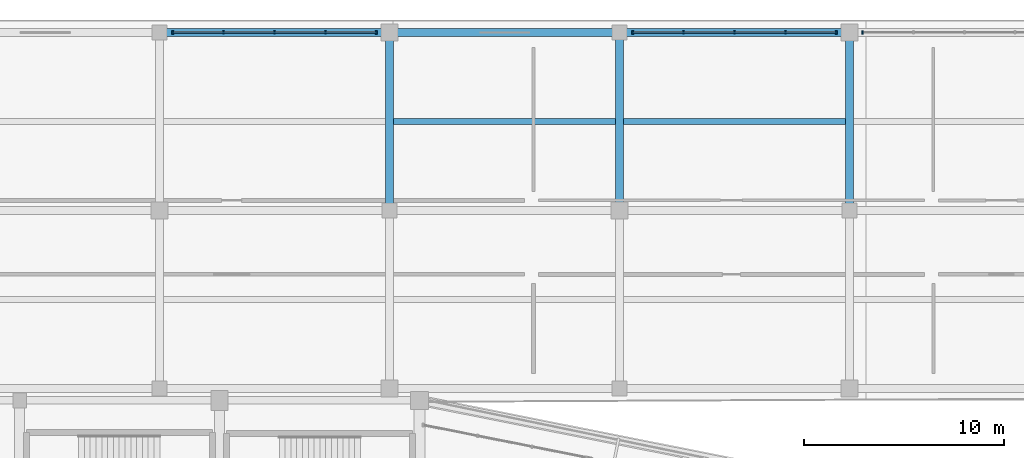
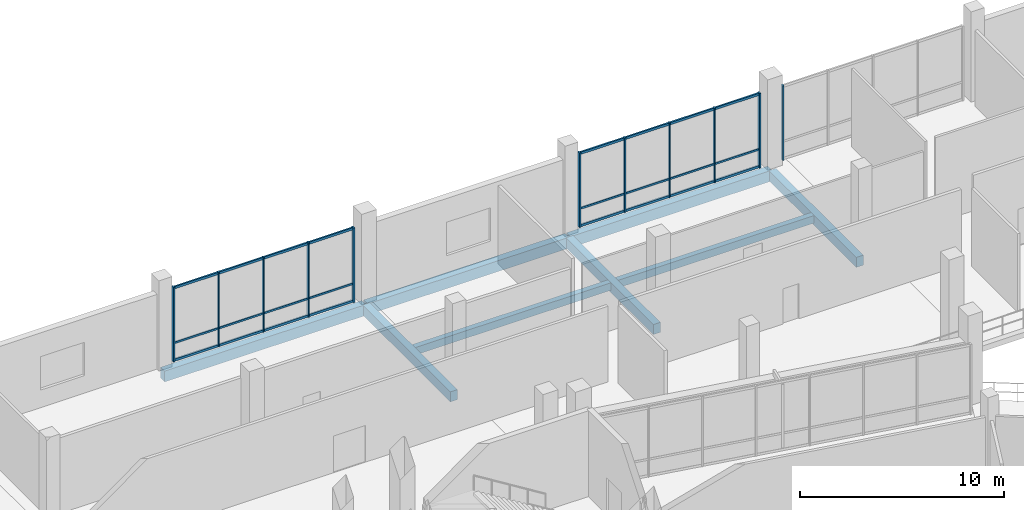
# One storey, part 59 of 114: 17 members, 8 beams, 3 elements without a shape of their own.
"""IFC4 building model written with IfcOpenShell, lengths in metres."""

from ifc_helpers import new_model, si_unit, direction, frame, origin, origin_2d, place, context, subcontext, project, spatial, rectangle, extrude, material, material_profile, profile_set, type_object, element, aggregate, save


model = new_model("IFC4")

# Units and contexts
model_context = context("Model", 3, precision=1e-05, world=origin(), true_north=direction((0.0, 1.0)))
body_context = subcontext(model_context, "Body", "Model", "MODEL_VIEW")
ifc_project = project(units=[si_unit("LENGTHUNIT", "METRE"), si_unit("AREAUNIT", "SQUARE_METRE"), si_unit("VOLUMEUNIT", "CUBIC_METRE"), si_unit("PLANEANGLEUNIT", "RADIAN"), si_unit("MASSUNIT", "GRAM", prefix="KILO")], contexts=[model_context])

# Site, building, storey
site_placement = place(None, origin())
site = spatial("IfcSite", under=ifc_project, at=site_placement, CompositionType="ELEMENT")
building_placement = place(site_placement, origin())
building = spatial("IfcBuilding", under=site, at=building_placement, Name="Candeia Ridge Stadium", CompositionType="ELEMENT")
storey_placement = place(building_placement, frame((0.0, 0.0, 5.39990234375)))
storey = spatial("IfcBuildingStorey", under=building, at=storey_placement, Name="L01", CompositionType="ELEMENT", Elevation=5.39990234375)

# Curtain wall, members
ifc_material_1 = material(Name="Aluminium Anodized Warm Bronze", Category="aluminium")
curtain_wall_type = type_object("IfcCurtainWallType", Name="Museum & Boulevard Showcase Curtain Wall", PredefinedType="NOTDEFINED", material=ifc_material_1)
curtain_wall_1_placement = place(storey_placement, origin())
curtain_wall_1 = element("IfcCurtainWall", 1, at=curtain_wall_1_placement, inside=storey, type_object=curtain_wall_type, Name="Unitised curtain wall CW-WNG-L01-144", PredefinedType="NOTDEFINED")
ifc_material_profile_1 = material_profile(ifc_material_1, rectangle(XDim=0.090087890625, YDim=0.179931640625, at=origin_2d()), Name="CWM-90x180", Category="aluminium")
ifc_profile_set_1 = profile_set([ifc_material_profile_1], Name="Aluminium Anodized Warm Bronze")
member_type_1 = type_object("IfcMemberType", Name="Curtain Wall Primary Mullion 90x180", PredefinedType="MULLION", material=ifc_profile_set_1)
member_1_placement = place(storey_placement, frame((128.659912109375, 165.39990234375, 0.0), z_axis=(0.0, 0.0, 1.0), x_axis=(1.0, 0.0, 0.0)))
member_1 = element("IfcMember", 2, at=member_1_placement, type_object=member_type_1, Name="Curtain wall mullion CW-WNG-L01-144-M0", PredefinedType="MULLION", context=body_context, shape_type="SweptSolid", body=[
    extrude(rectangle(XDim=0.090087890625, YDim=0.179931640625, at=origin_2d()), origin(), (0.0, 0.0, 1.0), 4.47509765625),
])
member_2_placement = place(storey_placement, frame((138.840087890625, 165.39990234375, 0.0), z_axis=(0.0, 0.0, 1.0), x_axis=(1.0, 0.0, 0.0)))
member_2 = element("IfcMember", 3, at=member_2_placement, type_object=member_type_1, Name="Curtain wall mullion CW-WNG-L01-144-M4", PredefinedType="MULLION", context=body_context, shape_type="SweptSolid", body=[
    extrude(rectangle(XDim=0.090087890625, YDim=0.179931640625, at=origin_2d()), origin(), (0.0, 0.0, 1.0), 4.47509765625),
])

curtain_wall_2_placement = place(storey_placement, origin())
curtain_wall_2 = element("IfcCurtainWall", 4, at=curtain_wall_2_placement, inside=storey, type_object=curtain_wall_type, Name="Unitised curtain wall CW-WNG-L01-145", PredefinedType="NOTDEFINED")
member_3_placement = place(storey_placement, frame((151.659912109375, 165.39990234375, 0.0), z_axis=(0.0, 0.0, 1.0), x_axis=(1.0, 0.0, 0.0)))
member_3 = element("IfcMember", 5, at=member_3_placement, type_object=member_type_1, Name="Curtain wall mullion CW-WNG-L01-145-M0", PredefinedType="MULLION", context=body_context, shape_type="SweptSolid", body=[
    extrude(rectangle(XDim=0.090087890625, YDim=0.179931640625, at=origin_2d()), origin(), (0.0, 0.0, 1.0), 4.47509765625),
])
member_4_placement = place(storey_placement, frame((161.840087890625, 165.39990234375, 0.0), z_axis=(0.0, 0.0, 1.0), x_axis=(1.0, 0.0, 0.0)))
member_4 = element("IfcMember", 6, at=member_4_placement, type_object=member_type_1, Name="Curtain wall mullion CW-WNG-L01-145-M4", PredefinedType="MULLION", context=body_context, shape_type="SweptSolid", body=[
    extrude(rectangle(XDim=0.090087890625, YDim=0.179931640625, at=origin_2d()), origin(), (0.0, 0.0, 1.0), 4.47509765625),
])

# Curtain wall, member
curtain_wall_3_placement = place(storey_placement, origin())
curtain_wall_3 = element("IfcCurtainWall", 7, at=curtain_wall_3_placement, inside=storey, type_object=curtain_wall_type, Name="Unitised curtain wall CW-WNG-L01-146", PredefinedType="NOTDEFINED")
member_5_placement = place(storey_placement, frame((163.159912109375, 165.39990234375, 0.0), z_axis=(0.0, 0.0, 1.0), x_axis=(1.0, 0.0, 0.0)))
member_5 = element("IfcMember", 8, at=member_5_placement, type_object=member_type_1, Name="Curtain wall mullion CW-WNG-L01-146-M0", PredefinedType="MULLION", context=body_context, shape_type="SweptSolid", body=[
    extrude(rectangle(XDim=0.090087890625, YDim=0.179931640625, at=origin_2d()), origin(), (0.0, 0.0, 1.0), 4.47509765625),
])
aggregate(curtain_wall_3, [member_5])

# Member
ifc_material_profile_2 = material_profile(ifc_material_1, rectangle(XDim=0.074951171875, YDim=0.14990234375, at=origin_2d()), Name="CWM-75x150", Category="aluminium")
ifc_profile_set_2 = profile_set([ifc_material_profile_2], Name="Aluminium Anodized Warm Bronze")
member_type_2 = type_object("IfcMemberType", Name="Curtain Wall Secondary Mullion 75x150", PredefinedType="MULLION", material=ifc_profile_set_2)
member_6_placement = place(storey_placement, frame((131.205078125, 165.39990234375, 0.0), z_axis=(0.0, 0.0, 1.0), x_axis=(1.0, 0.0, 0.0)))
member_6 = element("IfcMember", 9, at=member_6_placement, type_object=member_type_2, Name="Curtain wall mullion CW-WNG-L01-144-M1", PredefinedType="MULLION", context=body_context, shape_type="SweptSolid", body=[
    extrude(rectangle(XDim=0.074951171875, YDim=0.14990234375, at=origin_2d()), origin(), (0.0, 0.0, 1.0), 4.47509765625),
])

member_7_placement = place(storey_placement, frame((133.75, 165.39990234375, 0.0), z_axis=(0.0, 0.0, 1.0), x_axis=(1.0, 0.0, 0.0)))
member_7 = element("IfcMember", 10, at=member_7_placement, type_object=member_type_2, Name="Curtain wall mullion CW-WNG-L01-144-M2", PredefinedType="MULLION", context=body_context, shape_type="SweptSolid", body=[
    extrude(rectangle(XDim=0.074951171875, YDim=0.14990234375, at=origin_2d()), origin(), (0.0, 0.0, 1.0), 4.47509765625),
])

member_8_placement = place(storey_placement, frame((136.294921875, 165.39990234375, 0.0), z_axis=(0.0, 0.0, 1.0), x_axis=(1.0, 0.0, 0.0)))
member_8 = element("IfcMember", 11, at=member_8_placement, type_object=member_type_2, Name="Curtain wall mullion CW-WNG-L01-144-M3", PredefinedType="MULLION", context=body_context, shape_type="SweptSolid", body=[
    extrude(rectangle(XDim=0.074951171875, YDim=0.14990234375, at=origin_2d()), origin(), (0.0, 0.0, 1.0), 4.47509765625),
])

member_9_placement = place(storey_placement, frame((154.205078125, 165.39990234375, 0.0), z_axis=(0.0, 0.0, 1.0), x_axis=(1.0, 0.0, 0.0)))
member_9 = element("IfcMember", 12, at=member_9_placement, type_object=member_type_2, Name="Curtain wall mullion CW-WNG-L01-145-M1", PredefinedType="MULLION", context=body_context, shape_type="SweptSolid", body=[
    extrude(rectangle(XDim=0.074951171875, YDim=0.14990234375, at=origin_2d()), origin(), (0.0, 0.0, 1.0), 4.47509765625),
])

member_10_placement = place(storey_placement, frame((156.75, 165.39990234375, 0.0), z_axis=(0.0, 0.0, 1.0), x_axis=(1.0, 0.0, 0.0)))
member_10 = element("IfcMember", 13, at=member_10_placement, type_object=member_type_2, Name="Curtain wall mullion CW-WNG-L01-145-M2", PredefinedType="MULLION", context=body_context, shape_type="SweptSolid", body=[
    extrude(rectangle(XDim=0.074951171875, YDim=0.14990234375, at=origin_2d()), origin(), (0.0, 0.0, 1.0), 4.47509765625),
])

member_11_placement = place(storey_placement, frame((159.294921875, 165.39990234375, 0.0), z_axis=(0.0, 0.0, 1.0), x_axis=(1.0, 0.0, 0.0)))
member_11 = element("IfcMember", 14, at=member_11_placement, type_object=member_type_2, Name="Curtain wall mullion CW-WNG-L01-145-M3", PredefinedType="MULLION", context=body_context, shape_type="SweptSolid", body=[
    extrude(rectangle(XDim=0.074951171875, YDim=0.14990234375, at=origin_2d()), origin(), (0.0, 0.0, 1.0), 4.47509765625),
])

ifc_material_profile_3 = material_profile(ifc_material_1, rectangle(XDim=0.074951171875, YDim=0.110107421875, at=origin_2d()), Name="CWT-75x110", Category="aluminium")
ifc_profile_set_3 = profile_set([ifc_material_profile_3], Name="Aluminium Anodized Warm Bronze")
member_type_3 = type_object("IfcMemberType", Name="Curtain Wall Secondary Transom 75x110", PredefinedType="USERDEFINED", material=ifc_profile_set_3)
member_12_placement = place(storey_placement, frame((128.659912109375, 165.39990234375, 1.10009765625), z_axis=(1.0, 0.0, 0.0), x_axis=(0.0, 1.0, 0.0)))
member_12 = element("IfcMember", 15, at=member_12_placement, type_object=member_type_3, Name="Curtain wall transom CW-WNG-L01-144-T1", ObjectType="TRANSOM", PredefinedType="USERDEFINED", context=body_context, shape_type="SweptSolid", body=[
    extrude(rectangle(XDim=0.074951171875, YDim=0.110107421875, at=origin_2d()), origin(), (0.0, 0.0, 1.0), 10.18017578125),
])

member_13_placement = place(storey_placement, frame((151.659912109375, 165.39990234375, 1.10009765625), z_axis=(1.0, 0.0, 0.0), x_axis=(0.0, 1.0, 0.0)))
member_13 = element("IfcMember", 16, at=member_13_placement, type_object=member_type_3, Name="Curtain wall transom CW-WNG-L01-145-T1", ObjectType="TRANSOM", PredefinedType="USERDEFINED", context=body_context, shape_type="SweptSolid", body=[
    extrude(rectangle(XDim=0.074951171875, YDim=0.110107421875, at=origin_2d()), origin(), (0.0, 0.0, 1.0), 10.18017578125),
])

ifc_material_profile_4 = material_profile(ifc_material_1, rectangle(XDim=0.090087890625, YDim=0.139892578125, at=origin_2d()), Name="CWT-90x140", Category="aluminium")
ifc_profile_set_4 = profile_set([ifc_material_profile_4], Name="Aluminium Anodized Warm Bronze")
member_type_4 = type_object("IfcMemberType", Name="Curtain Wall Transom 90x140", PredefinedType="USERDEFINED", material=ifc_profile_set_4)
member_14_placement = place(storey_placement, frame((128.659912109375, 165.39990234375, 0.070068359375), z_axis=(1.0, 0.0, 0.0), x_axis=(0.0, 1.0, 0.0)))
member_14 = element("IfcMember", 17, at=member_14_placement, type_object=member_type_4, Name="Curtain wall transom CW-WNG-L01-144-T0", ObjectType="TRANSOM", PredefinedType="USERDEFINED", context=body_context, shape_type="SweptSolid", body=[
    extrude(rectangle(XDim=0.090087890625, YDim=0.139892578125, at=origin_2d()), origin(), (0.0, 0.0, 1.0), 10.18017578125),
])

member_15_placement = place(storey_placement, frame((128.659912109375, 165.39990234375, 4.405029296875), z_axis=(1.0, 0.0, 0.0), x_axis=(0.0, 1.0, 0.0)))
member_15 = element("IfcMember", 18, at=member_15_placement, type_object=member_type_4, Name="Curtain wall transom CW-WNG-L01-144-T2", ObjectType="TRANSOM", PredefinedType="USERDEFINED", context=body_context, shape_type="SweptSolid", body=[
    extrude(rectangle(XDim=0.090087890625, YDim=0.139892578125, at=origin_2d()), origin(), (0.0, 0.0, 1.0), 10.18017578125),
])

aggregate(curtain_wall_1, [member_1, member_6, member_7, member_8, member_2, member_14, member_12, member_15])

member_16_placement = place(storey_placement, frame((151.659912109375, 165.39990234375, 0.070068359375), z_axis=(1.0, 0.0, 0.0), x_axis=(0.0, 1.0, 0.0)))
member_16 = element("IfcMember", 19, at=member_16_placement, type_object=member_type_4, Name="Curtain wall transom CW-WNG-L01-145-T0", ObjectType="TRANSOM", PredefinedType="USERDEFINED", context=body_context, shape_type="SweptSolid", body=[
    extrude(rectangle(XDim=0.090087890625, YDim=0.139892578125, at=origin_2d()), origin(), (0.0, 0.0, 1.0), 10.18017578125),
])

member_17_placement = place(storey_placement, frame((151.659912109375, 165.39990234375, 4.405029296875), z_axis=(1.0, 0.0, 0.0), x_axis=(0.0, 1.0, 0.0)))
member_17 = element("IfcMember", 20, at=member_17_placement, type_object=member_type_4, Name="Curtain wall transom CW-WNG-L01-145-T2", ObjectType="TRANSOM", PredefinedType="USERDEFINED", context=body_context, shape_type="SweptSolid", body=[
    extrude(rectangle(XDim=0.090087890625, YDim=0.139892578125, at=origin_2d()), origin(), (0.0, 0.0, 1.0), 10.18017578125),
])

aggregate(curtain_wall_2, [member_3, member_9, member_10, member_11, member_4, member_16, member_13, member_17])

# Beams
ifc_material_2 = material(Name="Concrete C40/50", Category="concrete")
ifc_material_profile_5 = material_profile(ifc_material_2, rectangle(XDim=0.300048828125, YDim=0.449951171875, at=origin_2d()), Name="RC300x450", Category="concrete")
ifc_profile_set_5 = profile_set([ifc_material_profile_5], Name="Concrete C40/50")
beam_type_1 = type_object("IfcBeamType", Name="Floor Joist RC300x450", PredefinedType="JOIST", material=ifc_profile_set_5)
for number, where, z_axis, x_axis, name in (
    (21, (139.699462890625, 160.949951171875, -0.48486328125), (1.0, 0.0, 0.0), (0.0, 1.0, 0.0), "Wing secondary joist BM-L01-1597"),
    (22, (151.199462890625, 160.949951171875, -0.48486328125), (1.0, 0.0, 0.0), (0.0, 1.0, 0.0), "Wing secondary joist BM-L01-1602"),
):
    element("IfcBeam", number, at=place(storey_placement, frame(where, z_axis=z_axis, x_axis=x_axis)), inside=storey, type_object=beam_type_1, Name=name, PredefinedType="JOIST", context=body_context, shape_type="SweptSolid", body=[
        extrude(rectangle(XDim=0.300048828125, YDim=0.449951171875, at=origin_2d()), origin(), (0.0, 0.0, 1.0), 11.10107421875),
    ])
ifc_material_profile_6 = material_profile(ifc_material_2, rectangle(XDim=0.39990234375, YDim=0.60009765625, at=origin_2d()), Name="RC400x600", Category="concrete")
ifc_profile_set_6 = profile_set([ifc_material_profile_6], Name="Concrete C40/50")
beam_type_2 = type_object("IfcBeamType", Name="Frame Girder RC400x600", PredefinedType="BEAM", material=ifc_profile_set_6)
for number, where, z_axis, x_axis, name in (
    (23, (139.5, 156.659912109375, -0.559814453125), (0.0, 1.0, 0.0), (-1.0, 0.0, 0.0), "Structural girder BM-L01-1575"),
    (24, (151.0, 156.659912109375, -0.559814453125), (0.0, 1.0, 0.0), (-1.0, 0.0, 0.0), "Structural girder BM-L01-1577"),
    (25, (162.5, 156.659912109375, -0.559814453125), (0.0, 1.0, 0.0), (-1.0, 0.0, 0.0), "Structural girder BM-L01-1579"),
):
    element("IfcBeam", number, at=place(storey_placement, frame(where, z_axis=z_axis, x_axis=x_axis)), inside=storey, type_object=beam_type_2, Name=name, PredefinedType="BEAM", context=body_context, shape_type="SweptSolid", body=[
        extrude(rectangle(XDim=0.39990234375, YDim=0.60009765625, at=origin_2d()), origin(), (0.0, 0.0, 1.0), 8.580078125),
    ])
ifc_material_profile_7 = material_profile(ifc_material_2, rectangle(XDim=0.39990234375, YDim=0.64990234375, at=origin_2d()), Name="RC400x650", Category="concrete")
ifc_profile_set_7 = profile_set([ifc_material_profile_7], Name="Concrete C40/50")
beam_type_3 = type_object("IfcBeamType", Name="Wing Primary Girder RC400x650", PredefinedType="BEAM", material=ifc_profile_set_7)
for number, where, z_axis, x_axis, name in (
    (26, (128.050048828125, 165.39990234375, -0.5849609375), (1.0, 0.0, 0.0), (0.0, 1.0, 0.0), "Structural girder BM-L01-1593"),
    (27, (139.550048828125, 165.39990234375, -0.5849609375), (1.0, 0.0, 0.0), (0.0, 1.0, 0.0), "Structural girder BM-L01-1598"),
    (28, (151.050048828125, 165.39990234375, -0.5849609375), (1.0, 0.0, 0.0), (0.0, 1.0, 0.0), "Structural girder BM-L01-1603"),
):
    element("IfcBeam", number, at=place(storey_placement, frame(where, z_axis=z_axis, x_axis=x_axis)), inside=storey, type_object=beam_type_3, Name=name, PredefinedType="BEAM", context=body_context, shape_type="SweptSolid", body=[
        extrude(rectangle(XDim=0.39990234375, YDim=0.64990234375, at=origin_2d()), origin(), (0.0, 0.0, 1.0), 11.39990234375),
    ])

save(model, "model.ifc")
